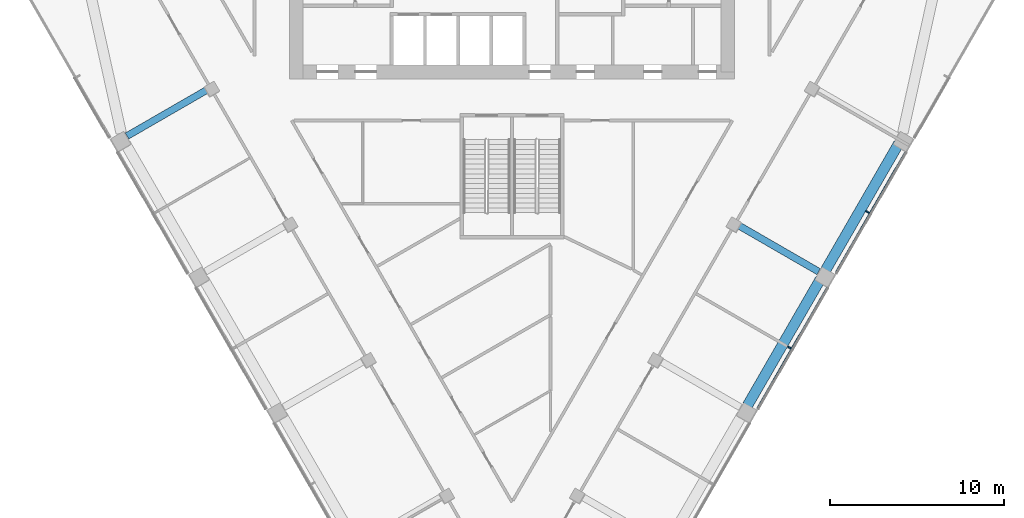
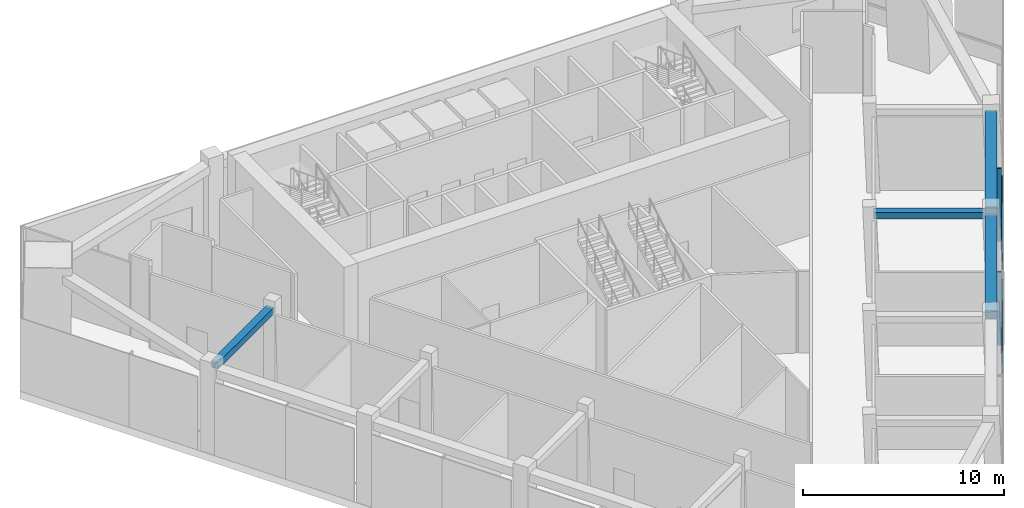
# One storey, part 3 of 12: 4 beams, 4 members, 1 element without a shape of its own.
"""IFC4 building model written with IfcOpenShell, lengths in metres."""

from ifc_helpers import new_model, si_unit, direction, frame, origin, origin_2d, place, context, subcontext, project, spatial, rectangle, extrude, material, layer, layer_set, material_profile, profile_set, type_object, element, aggregate, save


model = new_model("IFC4")

# Units and contexts
model_context = context("Model", 3, precision=1e-05, world=origin(), true_north=direction((0.0, 1.0)))
body_context = subcontext(model_context, "Body", "Model", "MODEL_VIEW")
ifc_project = project(units=[si_unit("LENGTHUNIT", "METRE"), si_unit("AREAUNIT", "SQUARE_METRE"), si_unit("VOLUMEUNIT", "CUBIC_METRE"), si_unit("PLANEANGLEUNIT", "RADIAN"), si_unit("MASSUNIT", "GRAM", prefix="KILO")], contexts=[model_context])

# Site, building, storey
site_placement = place(None, origin())
site = spatial("IfcSite", under=ifc_project, at=site_placement, CompositionType="ELEMENT")
building_placement = place(site_placement, origin())
building = spatial("IfcBuilding", under=site, at=building_placement, Name="Altiplano Prism Tower", CompositionType="ELEMENT")
storey_placement = place(building_placement, frame((0.0, 0.0, 118.800048828125)))
storey = spatial("IfcBuildingStorey", under=building, at=storey_placement, Name="L30", CompositionType="ELEMENT", Elevation=118.800048828125)

# Curtain wall, members
ifc_material_1 = material(Name="Aluminium and glass", Category="aluminium")
ifc_layer = layer(ifc_material_1, 0.360107421875)
ifc_layer_set = layer_set([ifc_layer], Name="Aluminium and glass")
curtain_wall_type = type_object("IfcCurtainWallType", Name="CW3 sky-lobby unitised glazing", PredefinedType="NOTDEFINED", material=ifc_layer_set)
curtain_wall_placement = place(storey_placement, origin())
curtain_wall = element("IfcCurtainWall", 1, at=curtain_wall_placement, inside=storey, type_object=curtain_wall_type, Name="CW3 curtain wall south-east face L30", PredefinedType="NOTDEFINED")
ifc_material_2 = material(Name="Aluminium", Category="aluminium")
ifc_material_profile_1 = material_profile(ifc_material_2, rectangle(XDim=0.239990234375, YDim=0.080078125, at=origin_2d()), Name="CW3 mullion 80 x 240")
ifc_profile_set_1 = profile_set([ifc_material_profile_1], Name="Aluminium")
member_type_1 = type_object("IfcMemberType", Name="CW3 mullion 80 x 240", PredefinedType="MULLION", material=ifc_profile_set_1)
member_1_placement = place(storey_placement, frame((100.93896484375, 77.15283203125, 0.0), z_axis=(0.0, 0.0, 1.0), x_axis=(-0.866025406725, 0.499999994906, 0.0)))
member_1 = element("IfcMember", 2, at=member_1_placement, type_object=member_type_1, Name="CW3 mullion", PredefinedType="MULLION", context=body_context, shape_type="SweptSolid", body=[
    extrude(rectangle(XDim=0.239990234375, YDim=0.080078125, at=origin_2d()), origin(), (0.0, 0.0, 1.0), 4.449951171875),
])
member_2_placement = place(storey_placement, frame((105.43896484375, 84.947265625, 0.0), z_axis=(0.0, 0.0, 1.0), x_axis=(-0.866025406725, 0.499999994906, 0.0)))
member_2 = element("IfcMember", 3, at=member_2_placement, type_object=member_type_1, Name="CW3 mullion", PredefinedType="MULLION", context=body_context, shape_type="SweptSolid", body=[
    extrude(rectangle(XDim=0.239990234375, YDim=0.080078125, at=origin_2d()), origin(), (0.0, 0.0, 1.0), 4.449951171875),
])
ifc_material_profile_2 = material_profile(ifc_material_2, rectangle(XDim=0.070068359375, YDim=0.10009765625, at=origin_2d()), Name="CW3 transom 100 x 70")
ifc_profile_set_2 = profile_set([ifc_material_profile_2], Name="Aluminium")
member_type_2 = type_object("IfcMemberType", Name="CW3 transom 100 x 70", PredefinedType="USERDEFINED", material=ifc_profile_set_2)
member_3_placement = place(storey_placement, frame((99.095458984375, 73.64990234375, 1.099853515625), z_axis=(0.499994411706, 0.866028630163, 0.0), x_axis=(-0.866028630163, 0.499994411706, 0.0)))
member_3 = element("IfcMember", 4, at=member_3_placement, type_object=member_type_2, Name="CW3 transom", ObjectType="TRANSOM", PredefinedType="USERDEFINED", context=body_context, shape_type="SweptSolid", body=[
    extrude(rectangle(XDim=0.070068359375, YDim=0.10009765625, at=origin_2d()), origin(), (0.0, 0.0, 1.0), 8.02978515625),
])
member_4_placement = place(storey_placement, frame((103.595458984375, 81.444091796875, 1.099853515625), z_axis=(0.499994411706, 0.866028630163, 0.0), x_axis=(-0.866028630163, 0.499994411706, 0.0)))
member_4 = element("IfcMember", 5, at=member_4_placement, type_object=member_type_2, Name="CW3 transom", ObjectType="TRANSOM", PredefinedType="USERDEFINED", context=body_context, shape_type="SweptSolid", body=[
    extrude(rectangle(XDim=0.070068359375, YDim=0.10009765625, at=origin_2d()), origin(), (0.0, 0.0, 1.0), 8.02978515625),
])
aggregate(curtain_wall, [member_1, member_3, member_2, member_4])

# Beams
ifc_material_3 = material(Name="Concrete C60/75", Category="concrete")
ifc_material_profile_3 = material_profile(ifc_material_3, rectangle(XDim=0.60009765625, YDim=0.5, at=origin_2d()), Name="Edge beam 600x500")
ifc_profile_set_3 = profile_set([ifc_material_profile_3], Name="Concrete C60/75")
beam_type_1 = type_object("IfcBeamType", Name="Edge beam 600x500", PredefinedType="SPANDREL", material=ifc_profile_set_3)
beam_1_placement = place(storey_placement, frame((98.53955078125, 73.832763671875, 4.699951171875), z_axis=(0.500010445942, 0.866019372733, 0.0), x_axis=(-0.866019372733, 0.500010445942, 0.0)))
element("IfcBeam", 6, at=beam_1_placement, inside=storey, type_object=beam_type_1, Name="Edge beam P22-P23 L31", PredefinedType="SPANDREL", context=body_context, shape_type="SweptSolid", body=[
    extrude(rectangle(XDim=0.60009765625, YDim=0.5, at=origin_2d()), origin(), (0.0, 0.0, 1.0), 8.389892578125),
])
beam_2_placement = place(storey_placement, frame((103.03955078125, 81.626953125, 4.699951171875), z_axis=(0.499997845736, 0.866026647546, 0.0), x_axis=(-0.866026647546, 0.499997845736, 0.0)))
element("IfcBeam", 7, at=beam_2_placement, inside=storey, type_object=beam_type_1, Name="Edge beam P23-P24 L31", PredefinedType="SPANDREL", context=body_context, shape_type="SweptSolid", body=[
    extrude(rectangle(XDim=0.60009765625, YDim=0.5, at=origin_2d()), origin(), (0.0, 0.0, 1.0), 8.39013671875),
])
ifc_material_profile_4 = material_profile(ifc_material_3, rectangle(XDim=0.39990234375, YDim=0.39990234375, at=origin_2d()), Name="Tie beam 400x400")
ifc_profile_set_4 = profile_set([ifc_material_profile_4], Name="Concrete C60/75")
beam_type_2 = type_object("IfcBeamType", Name="Tie beam 400x400", PredefinedType="BEAM", material=ifc_profile_set_4)
for number, where, z_axis, x_axis, name in (
    (8, (67.6748046875, 92.07958984375, 4.75), (-0.866027073272, -0.499997108352, 0.0), (0.499997108352, -0.866027073272, 0.0), "Tie beam I11 L31"),
    (9, (97.8251953125, 84.285400390625, 4.75), (0.866027073272, -0.499997108352, 0.0), (0.499997108352, 0.866027073272, 0.0), "Tie beam I23 L31"),
):
    element("IfcBeam", number, at=place(storey_placement, frame(where, z_axis=z_axis, x_axis=x_axis)), inside=storey, type_object=beam_type_2, Name=name, PredefinedType="BEAM", context=body_context, shape_type="SweptSolid", body=[
        extrude(rectangle(XDim=0.39990234375, YDim=0.39990234375, at=origin_2d()), origin(), (0.0, 0.0, 1.0), 5.5400390625),
    ])

save(model, "model.ifc")
